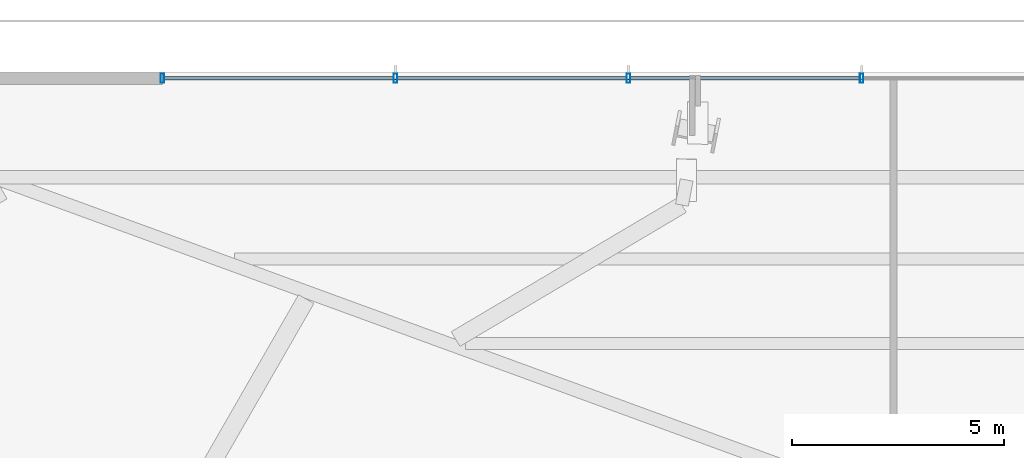
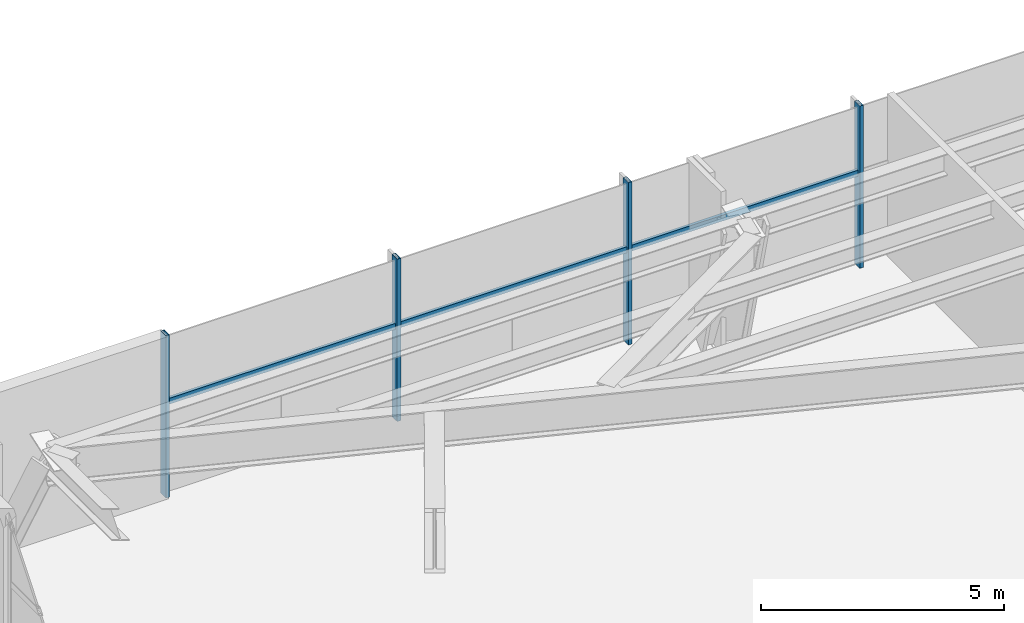
# One storey, part 16 of 33: 7 members, 1 element without a shape of its own.
"""IFC4 building model written with IfcOpenShell, lengths in metres."""

from ifc_helpers import new_model, si_unit, direction, frame, origin, origin_2d, place, context, subcontext, project, spatial, hollow_rectangle, extrude, source, transform, mapped, material, material_profile, profile_set, type_object, type_shapes, element, aggregate, save


model = new_model("IFC4")

# Units and contexts
model_context = context("Model", 3, precision=1e-05, world=origin(), true_north=direction((0.0, 1.0)))
body_context = subcontext(model_context, "Body", "Model", "MODEL_VIEW")
ifc_project = project(units=[si_unit("LENGTHUNIT", "METRE"), si_unit("AREAUNIT", "SQUARE_METRE"), si_unit("VOLUMEUNIT", "CUBIC_METRE"), si_unit("PLANEANGLEUNIT", "RADIAN"), si_unit("MASSUNIT", "GRAM", prefix="KILO")], contexts=[model_context])

# Site, building, storey
site_placement = place(None, origin())
site = spatial("IfcSite", under=ifc_project, at=site_placement, CompositionType="ELEMENT")
building_placement = place(site_placement, origin())
building = spatial("IfcBuilding", under=site, at=building_placement, Name="Astriad Promenade Condominiums", CompositionType="ELEMENT")
storey_placement = place(building_placement, frame((0.0, 0.0, 9.5)))
storey = spatial("IfcBuildingStorey", under=building, at=storey_placement, Name="L02", CompositionType="ELEMENT", Elevation=9.5)

# Curtain wall, members
ifc_material_1 = material(Name="Anodised aluminium Black Dark Glass Unitised", Category="aluminium")
curtain_wall_type = type_object("IfcCurtainWallType", Name="CW-POD-DARK", PredefinedType="USERDEFINED", material=ifc_material_1)
curtain_wall_placement = place(storey_placement, origin())
curtain_wall = element("IfcCurtainWall", 1, at=curtain_wall_placement, inside=storey, type_object=curtain_wall_type, Name="CW-L02-N", ObjectType="UNITISED_CURTAIN_WALL", PredefinedType="USERDEFINED")
ifc_material_2 = material(Name="Anodised aluminium 6063-T6 Black", Category="aluminium")
ifc_material_profile_1 = material_profile(ifc_material_2, hollow_rectangle(XDim=0.0849609375, YDim=0.219970703125, WallThickness=0.0048828125, at=origin_2d()), Name="ALU-MUL-85X220")
ifc_profile_set_1 = profile_set([ifc_material_profile_1], Name="Anodised aluminium 6063-T6 Black")
member_type_1 = type_object("IfcMemberType", Name="MUL-ALU-MUL-85X220", PredefinedType="MULLION", material=ifc_profile_set_1)
shared_shape_1 = source(origin(), body_context, "Body", "SweptSolid", [
    extrude(hollow_rectangle(XDim=0.0849609375, YDim=0.219970703125, WallThickness=0.0048828125, at=origin_2d()), origin(), (0.0, 0.0, 1.0), 4.080078125),
])
type_shapes(member_type_1, [shared_shape_1])
member_1_placement = place(storey_placement, frame((8.75, 34.25, 0.0), z_axis=(0.0, 0.0, 1.0), x_axis=(1.0, 0.0, 0.0)))
member_1 = element("IfcMember", 2, at=member_1_placement, type_object=member_type_1, Name="CW-L02-N-MUL-00", PredefinedType="MULLION", context=body_context, shape_type="MappedRepresentation", body=[
    mapped(shared_shape_1, transform((0.0, 0.0, 0.0), scale=1.0)),
])
member_2_placement = place(storey_placement, frame((14.25, 34.25, 0.0), z_axis=(0.0, 0.0, 1.0), x_axis=(1.0, 0.0, 0.0)))
member_2 = element("IfcMember", 3, at=member_2_placement, type_object=member_type_1, Name="CW-L02-N-MUL-01", PredefinedType="MULLION", context=body_context, shape_type="MappedRepresentation", body=[
    mapped(shared_shape_1, transform((0.0, 0.0, 0.0), scale=1.0)),
])
member_3_placement = place(storey_placement, frame((19.75, 34.25, 0.0), z_axis=(0.0, 0.0, 1.0), x_axis=(1.0, 0.0, 0.0)))
member_3 = element("IfcMember", 4, at=member_3_placement, type_object=member_type_1, Name="CW-L02-N-MUL-02", PredefinedType="MULLION", context=body_context, shape_type="MappedRepresentation", body=[
    mapped(shared_shape_1, transform((0.0, 0.0, 0.0), scale=1.0)),
])
member_4_placement = place(storey_placement, frame((25.25, 34.25, 0.0), z_axis=(0.0, 0.0, 1.0), x_axis=(1.0, 0.0, 0.0)))
member_4 = element("IfcMember", 5, at=member_4_placement, type_object=member_type_1, Name="CW-L02-N-MUL-03", PredefinedType="MULLION", context=body_context, shape_type="MappedRepresentation", body=[
    mapped(shared_shape_1, transform((0.0, 0.0, 0.0), scale=1.0)),
])
ifc_material_profile_2 = material_profile(ifc_material_2, hollow_rectangle(XDim=0.074951171875, YDim=0.14990234375, WallThickness=0.004150390625, at=origin_2d()), Name="ALU-TRN-75X150")
ifc_profile_set_2 = profile_set([ifc_material_profile_2], Name="Anodised aluminium 6063-T6 Black")
member_type_2 = type_object("IfcMemberType", Name="TRN-ALU-TRN-75X150", PredefinedType="USERDEFINED", material=ifc_profile_set_2)
shared_shape_2 = source(origin(), body_context, "Body", "SweptSolid", [
    extrude(hollow_rectangle(XDim=0.074951171875, YDim=0.14990234375, WallThickness=0.004150390625, at=origin_2d()), origin(), (0.0, 0.0, 1.0), 5.5),
])
type_shapes(member_type_2, [shared_shape_2])
member_5_placement = place(storey_placement, frame((8.75, 34.25, 2.35009765625), z_axis=(1.0, 0.0, 0.0), x_axis=(0.0, 1.0, 0.0)))
member_5 = element("IfcMember", 6, at=member_5_placement, type_object=member_type_2, Name="CW-L02-N-TRN-00-0", ObjectType="TRANSOM", PredefinedType="USERDEFINED", context=body_context, shape_type="MappedRepresentation", body=[
    mapped(shared_shape_2, transform((0.0, 0.0, 0.0), scale=1.0)),
])
member_6_placement = place(storey_placement, frame((14.25, 34.25, 2.35009765625), z_axis=(1.0, 0.0, 0.0), x_axis=(0.0, 1.0, 0.0)))
member_6 = element("IfcMember", 7, at=member_6_placement, type_object=member_type_2, Name="CW-L02-N-TRN-01-0", ObjectType="TRANSOM", PredefinedType="USERDEFINED", context=body_context, shape_type="MappedRepresentation", body=[
    mapped(shared_shape_2, transform((0.0, 0.0, 0.0), scale=1.0)),
])
member_7_placement = place(storey_placement, frame((19.75, 34.25, 2.35009765625), z_axis=(1.0, 0.0, 0.0), x_axis=(0.0, 1.0, 0.0)))
member_7 = element("IfcMember", 8, at=member_7_placement, type_object=member_type_2, Name="CW-L02-N-TRN-02-0", ObjectType="TRANSOM", PredefinedType="USERDEFINED", context=body_context, shape_type="MappedRepresentation", body=[
    mapped(shared_shape_2, transform((0.0, 0.0, 0.0), scale=1.0)),
])
aggregate(curtain_wall, [member_1, member_2, member_3, member_4, member_5, member_6, member_7])

save(model, "model.ifc")
